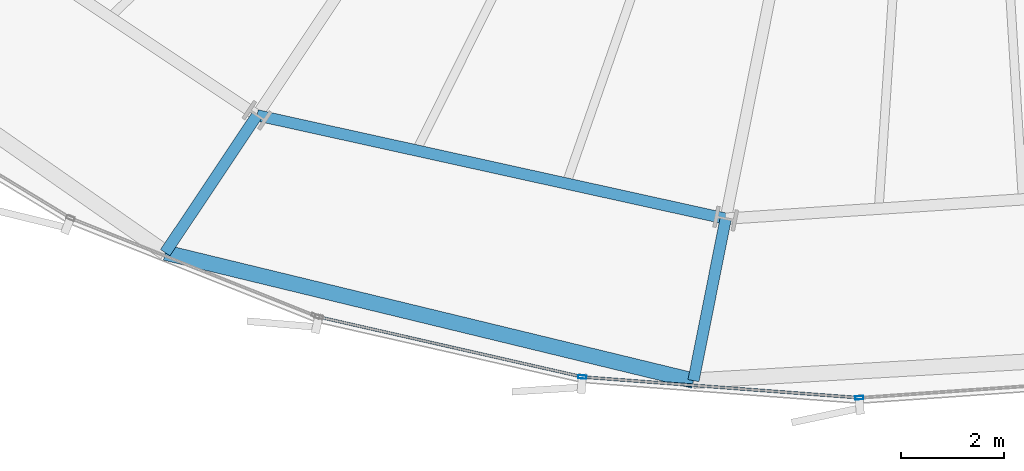
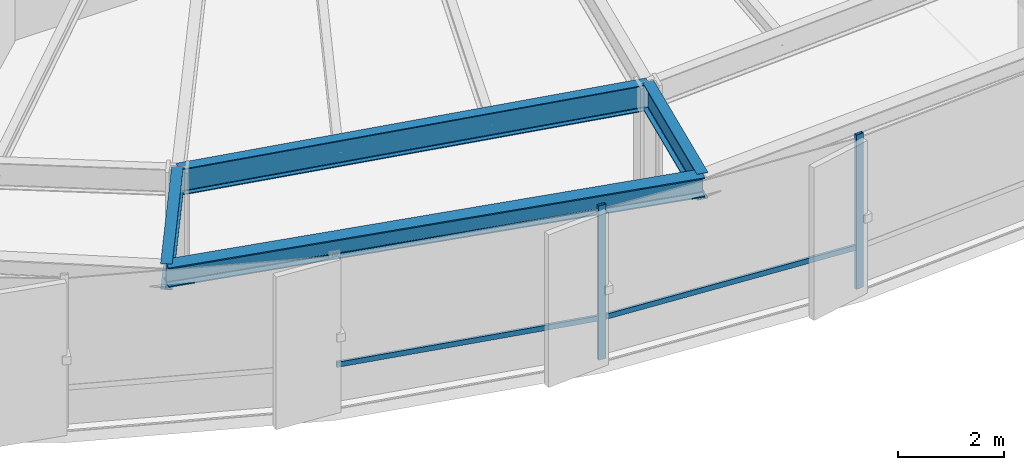
# One storey, part 5 of 38: 4 beams, 4 members, 1 element without a shape of its own.
"""IFC4 building model written with IfcOpenShell, lengths in metres."""

from ifc_helpers import new_model, si_unit, direction, frame, origin, origin_2d, place, context, subcontext, project, spatial, hollow_rectangle, i_section, extrude, source, transform, mapped, material, layer, layer_set, material_profile, profile_set, type_object, element, aggregate, save


model = new_model("IFC4")

# Units and contexts
model_context = context("Model", 3, precision=1e-05, world=origin(), true_north=direction((0.0, 1.0)))
body_context = subcontext(model_context, "Body", "Model", "MODEL_VIEW")
ifc_project = project(units=[si_unit("LENGTHUNIT", "METRE"), si_unit("AREAUNIT", "SQUARE_METRE"), si_unit("VOLUMEUNIT", "CUBIC_METRE"), si_unit("PLANEANGLEUNIT", "RADIAN"), si_unit("MASSUNIT", "GRAM", prefix="KILO"), si_unit("THERMODYNAMICTEMPERATUREUNIT", "KELVIN")], contexts=[model_context])

# Site, building, storey
site_placement = place(None, origin())
site = spatial("IfcSite", under=ifc_project, at=site_placement, CompositionType="ELEMENT")
building_placement = place(site_placement, origin())
building = spatial("IfcBuilding", under=site, at=building_placement, Name="Kethvar Cultural Tower", CompositionType="ELEMENT")
storey_placement = place(building_placement, frame((0.0, 0.0, 63.800048828125)))
storey = spatial("IfcBuildingStorey", under=building, at=storey_placement, Name="L15", CompositionType="ELEMENT", Elevation=63.800048828125)

# Beams
ifc_material_1 = material(Name="Steel S355J2", Category="steel")
ifc_material_profile_1 = material_profile(ifc_material_1, i_section(OverallWidth=0.219970703125, OverallDepth=0.60009765625, WebThickness=0.011962890625, FlangeThickness=0.01904296875, FilletRadius=0.02392578125, at=origin_2d()), Name="Steel S355J2 — IPE600")
ifc_profile_set_1 = profile_set([ifc_material_profile_1], Name="Steel S355J2 — IPE600")
beam_type_1 = type_object("IfcBeamType", Name="BM-IPE600", PredefinedType="BEAM", material=ifc_profile_set_1)
shared_shape_1 = source(origin(), body_context, "Body", "SweptSolid", [
    extrude(i_section(OverallWidth=0.219970703125, OverallDepth=0.60009765625, WebThickness=0.011962890625, FlangeThickness=0.01904296875, FilletRadius=0.02392578125, at=origin_2d()), origin(), (0.0, 0.0, 1.0), 3.2001953125),
])
beam_1_placement = place(storey_placement, frame((42.38330078125, 5.59619140625, 3.248046875), z_axis=(-0.195074368086, -0.980788453702, 0.0), x_axis=(0.980788453702, -0.195074368086, 0.0)))
element("IfcBeam", 1, at=beam_1_placement, inside=storey, type_object=beam_type_1, Name="L15 Perimeter Cantilever Beam RC-12", PredefinedType="BEAM", context=body_context, shape_type="MappedRepresentation", body=[
    mapped(shared_shape_1, transform((0.0, 0.0, 0.0), scale=1.0)),
])
shared_shape_2 = source(origin(), body_context, "Body", "SweptSolid", [
    extrude(i_section(OverallWidth=0.219970703125, OverallDepth=0.60009765625, WebThickness=0.011962890625, FlangeThickness=0.01904296875, FilletRadius=0.02392578125, at=origin_2d()), origin(), (0.0, 0.0, 1.0), 3.199951171875),
])
beam_2_placement = place(storey_placement, frame((33.302001953125, 7.598876953125, 3.248046875), z_axis=(-0.555580212716, -0.831462943996, 0.0), x_axis=(0.831462943996, -0.555580212716, 0.0)))
element("IfcBeam", 2, at=beam_2_placement, inside=storey, type_object=beam_type_1, Name="L15 Perimeter Cantilever Beam RC-11", PredefinedType="BEAM", context=body_context, shape_type="MappedRepresentation", body=[
    mapped(shared_shape_2, transform((0.0, 0.0, 0.0), scale=1.0)),
])
shared_shape_3 = source(origin(), body_context, "Body", "SweptSolid", [
    extrude(i_section(OverallWidth=0.219970703125, OverallDepth=0.60009765625, WebThickness=0.011962890625, FlangeThickness=0.01904296875, FilletRadius=0.02392578125, at=origin_2d()), origin(), (0.0, 0.0, 1.0), 9.299560546875),
])
beam_3_placement = place(storey_placement, frame((33.302001953125, 7.598876953125, 3.248046875), z_axis=(0.976536034872, -0.21535406334, 0.0), x_axis=(0.21535406334, 0.976536034872, 0.0)))
element("IfcBeam", 3, at=beam_3_placement, inside=storey, type_object=beam_type_1, Name="L15 Column Ring Tie Beam CR-11", PredefinedType="BEAM", context=body_context, shape_type="MappedRepresentation", body=[
    mapped(shared_shape_3, transform((0.0, 0.0, 0.0), scale=1.0)),
])
ifc_material_profile_2 = material_profile(ifc_material_1, i_section(OverallWidth=0.300048828125, OverallDepth=0.449951171875, WebThickness=0.013916015625, FlangeThickness=0.02587890625, FilletRadius=0.027099609375, at=origin_2d()), Name="Steel S355J2 — HEB450")
ifc_profile_set_2 = profile_set([ifc_material_profile_2], Name="Steel S355J2 — HEB450")
beam_type_2 = type_object("IfcBeamType", Name="BM-SP450", PredefinedType="SPANDREL", material=ifc_profile_set_2)
shared_shape_4 = source(origin(), body_context, "Body", "SweptSolid", [
    extrude(i_section(OverallWidth=0.300048828125, OverallDepth=0.449951171875, WebThickness=0.013916015625, FlangeThickness=0.02587890625, FilletRadius=0.027099609375, at=origin_2d()), origin(), (0.0, 0.0, 1.0), 10.53125),
])
beam_4_placement = place(storey_placement, frame((31.524169921875, 4.938232421875, 3.322998046875), z_axis=(0.971860238373, -0.235558224372, 0.0), x_axis=(0.235558224372, 0.971860238373, 0.0)))
element("IfcBeam", 4, at=beam_4_placement, inside=storey, type_object=beam_type_2, Name="L15 Perimeter Spandrel Beam SP-11", PredefinedType="SPANDREL", context=body_context, shape_type="MappedRepresentation", body=[
    mapped(shared_shape_4, transform((0.0, 0.0, 0.0), scale=1.0)),
])

# Curtain wall, members
ifc_material_2 = material(Name="Aluminium 6063-T6", Category="aluminium")
ifc_layer = layer(ifc_material_2, 0.179931640625, Name="Aluminium 6063-T6", Category="aluminium")
ifc_layer_set = layer_set([ifc_layer], Name="Aluminium 6063-T6 (180 mm)")
curtain_wall_type = type_object("IfcCurtainWallType", Name="CW-SYS-02-Z1", PredefinedType="NOTDEFINED", material=ifc_layer_set)
curtain_wall_placement = place(storey_placement, origin())
curtain_wall = element("IfcCurtainWall", 5, at=curtain_wall_placement, inside=storey, type_object=curtain_wall_type, Name="L15 Curtain Wall Run 05", PredefinedType="NOTDEFINED")
ifc_material_profile_3 = material_profile(ifc_material_2, hollow_rectangle(XDim=0.06494140625, YDim=0.159912109375, WallThickness=0.0048828125, at=origin_2d()), Name="Aluminium 6063-T6 — RHS160x65x5")
ifc_profile_set_3 = profile_set([ifc_material_profile_3], Name="Aluminium 6063-T6 — RHS160x65x5")
member_type_1 = type_object("IfcMemberType", Name="CW-SYS-02-Z1-MUL", PredefinedType="MULLION", material=ifc_profile_set_3)
shared_shape_5 = source(origin(), body_context, "Body", "SweptSolid", [
    extrude(hollow_rectangle(XDim=0.06494140625, YDim=0.159912109375, WallThickness=0.0048828125, at=origin_2d()), origin(), (0.0, 0.0, 1.0), 3.550048828125),
])
member_1_placement = place(storey_placement, frame((39.6044921875, 2.5283203125, 0.0), z_axis=(0.0, 0.0, 1.0), x_axis=(0.074787279644, 0.99719951003, 0.0)))
member_1 = element("IfcMember", 6, at=member_1_placement, type_object=member_type_1, Name="CW-L15-R05 Mullion 2", PredefinedType="MULLION", context=body_context, shape_type="MappedRepresentation", body=[
    mapped(shared_shape_5, transform((0.0, 0.0, 0.0), scale=1.0)),
])
member_2_placement = place(storey_placement, frame((44.97021484375, 2.124755859375, 0.0), z_axis=(0.0, 0.0, 1.0), x_axis=(-0.069721652147, 0.997566484612, 0.0)))
member_2 = element("IfcMember", 7, at=member_2_placement, type_object=member_type_1, Name="CW-L15-R05 Mullion 3", PredefinedType="MULLION", context=body_context, shape_type="MappedRepresentation", body=[
    mapped(shared_shape_5, transform((0.0, 0.0, 0.0), scale=1.0)),
])
ifc_material_profile_4 = material_profile(ifc_material_2, hollow_rectangle(XDim=0.054931640625, YDim=0.1201171875, WallThickness=0.00390625, at=origin_2d()), Name="Aluminium 6063-T6 — RHS120x55x4")
ifc_profile_set_4 = profile_set([ifc_material_profile_4], Name="Aluminium 6063-T6 — RHS120x55x4")
member_type_2 = type_object("IfcMemberType", Name="CW-SYS-02-Z1-TRN", PredefinedType="USERDEFINED", material=ifc_profile_set_4)
shared_shape_6 = source(origin(), body_context, "Body", "SweptSolid", [
    extrude(hollow_rectangle(XDim=0.054931640625, YDim=0.1201171875, WallThickness=0.00390625, at=origin_2d()), origin(), (0.0, 0.0, 1.0), 5.3046875),
])
member_3_placement = place(storey_placement, frame((39.651123046875, 2.52490234375, 0.949951171875), z_axis=(0.9971993957, -0.074788804081, 0.0), x_axis=(0.074788804081, 0.9971993957, 0.0)))
member_3 = element("IfcMember", 8, at=member_3_placement, type_object=member_type_2, Name="CW-L15-R05 Transom 2", ObjectType="TRANSOM", PredefinedType="USERDEFINED", context=body_context, shape_type="MappedRepresentation", body=[
    mapped(shared_shape_6, transform((0.0, 0.0, 0.0), scale=1.0)),
])
shared_shape_7 = source(origin(), body_context, "Body", "SweptSolid", [
    extrude(hollow_rectangle(XDim=0.054931640625, YDim=0.1201171875, WallThickness=0.00390625, at=origin_2d()), origin(), (0.0, 0.0, 1.0), 5.202392578125),
])
member_4_placement = place(storey_placement, frame((34.503662109375, 3.6904296875, 0.949951171875), z_axis=(0.975074738245, -0.221876665821, 0.0), x_axis=(0.221876665821, 0.975074738245, 0.0)))
member_4 = element("IfcMember", 9, at=member_4_placement, type_object=member_type_2, Name="CW-L15-R05 Transom 1", ObjectType="TRANSOM", PredefinedType="USERDEFINED", context=body_context, shape_type="MappedRepresentation", body=[
    mapped(shared_shape_7, transform((0.0, 0.0, 0.0), scale=1.0)),
])
aggregate(curtain_wall, [member_1, member_2, member_4, member_3])

save(model, "model.ifc")
